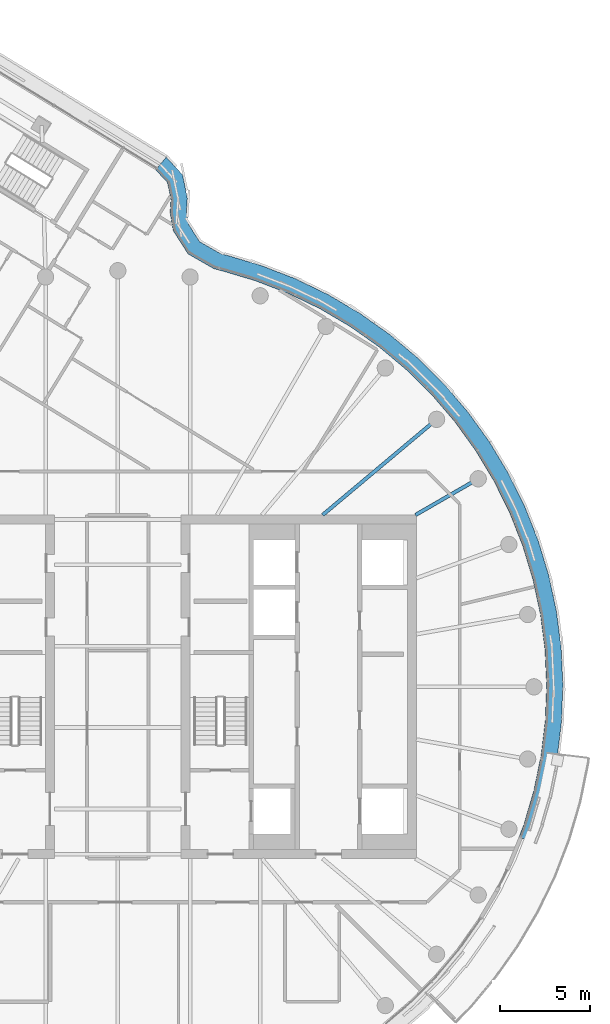
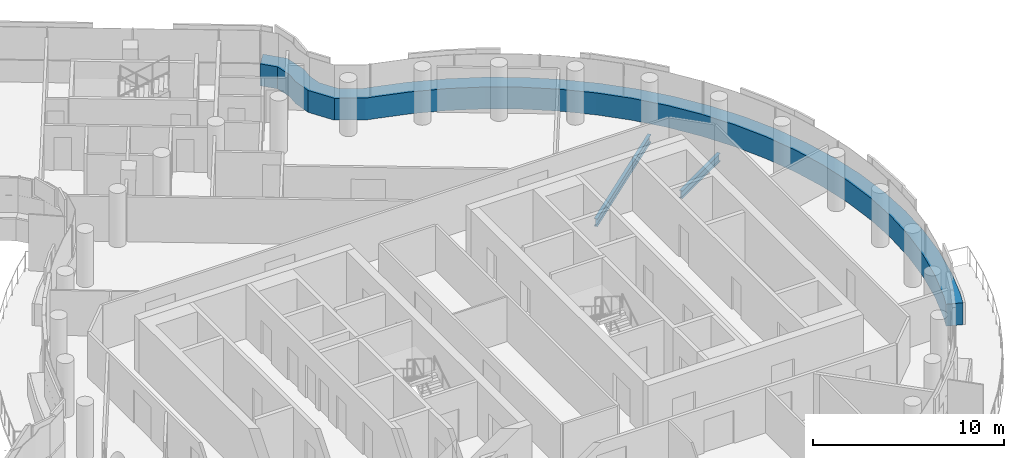
# One storey, part 12 of 27: 2 beams, 1 member, 1 element without a shape of its own.
"""IFC4 building model written with IfcOpenShell, lengths in metres."""

from ifc_helpers import new_model, si_unit, direction, frame, origin, origin_2d, place, context, subcontext, project, spatial, polyline, i_section, outline, extrude, material, layer, layer_set, material_profile, profile_set, type_object, element, aggregate, save


model = new_model("IFC4")

# Units and contexts
model_context = context("Model", 3, precision=1e-05, world=origin(), true_north=direction((0.0, 1.0)))
body_context = subcontext(model_context, "Body", "Model", "MODEL_VIEW")
ifc_project = project(units=[si_unit("LENGTHUNIT", "METRE"), si_unit("AREAUNIT", "SQUARE_METRE"), si_unit("VOLUMEUNIT", "CUBIC_METRE"), si_unit("PLANEANGLEUNIT", "RADIAN"), si_unit("MASSUNIT", "GRAM", prefix="KILO")], contexts=[model_context])

# Site, building, storey
site_placement = place(None, origin())
site = spatial("IfcSite", under=ifc_project, at=site_placement, CompositionType="ELEMENT")
building_placement = place(site_placement, origin())
building = spatial("IfcBuilding", under=site, at=building_placement, Name="Tamarind Cross Interchange Tower", CompositionType="ELEMENT")
storey_placement = place(building_placement, frame((0.0, 0.0, 245.10009765625)))
storey = spatial("IfcBuildingStorey", under=building, at=storey_placement, Name="L62", CompositionType="ELEMENT", Elevation=245.10009765625)

# Beams
ifc_material_1 = material(Name="Steel Q355B", Category="steel")
ifc_material_profile = material_profile(ifc_material_1, i_section(OverallWidth=0.198974609375, OverallDepth=0.49609375, WebThickness=0.009033203125, FlangeThickness=0.013916015625, FilletRadius=0.012939453125, at=origin_2d()), Name="HN 496x199x9x14")
ifc_profile_set = profile_set([ifc_material_profile], Name="Steel Q355B")
beam_type = type_object("IfcBeamType", Name="Composite beam HN 496x199x9x14 Q355B", PredefinedType="BEAM", material=ifc_profile_set)
beam_1_placement = place(storey_placement, frame((19.918701171875, 11.5, -0.38818359375), z_axis=(-0.866026010844, -0.49999894854, 0.0), x_axis=(0.49999894854, -0.866026010844, 0.0)))
element("IfcBeam", 1, at=beam_1_placement, inside=storey, type_object=beam_type, Name="Beam HH03", PredefinedType="BEAM", context=body_context, shape_type="SweptSolid", body=[
    extrude(i_section(OverallWidth=0.198974609375, OverallDepth=0.49609375, WebThickness=0.009033203125, FlangeThickness=0.013916015625, FilletRadius=0.012939453125, at=origin_2d()), origin(), (0.0, 0.0, 1.0), 4.0),
])
beam_2_placement = place(storey_placement, frame((17.619140625, 14.7841796875, -0.38818359375), z_axis=(-0.766040580814, -0.642792212574, 0.0), x_axis=(0.642792212574, -0.766040580814, 0.0)))
element("IfcBeam", 2, at=beam_2_placement, inside=storey, type_object=beam_type, Name="Beam HH04", PredefinedType="BEAM", context=body_context, shape_type="SweptSolid", body=[
    extrude(i_section(OverallWidth=0.198974609375, OverallDepth=0.49609375, WebThickness=0.009033203125, FlangeThickness=0.013916015625, FilletRadius=0.012939453125, at=origin_2d()), origin(), (0.0, 0.0, 1.0), 8.220703125),
])

# Curtain wall, member
ifc_material_2 = material(Name="Aluminium 6063-T6", Category="aluminium")
ifc_layer = layer(ifc_material_2, 0.139892578125)
ifc_layer_set = layer_set([ifc_layer], Name="Aluminium 6063-T6")
curtain_wall_type = type_object("IfcCurtainWallType", Name="Hotel curtain wall, 4.5 m bays", PredefinedType="NOTDEFINED", material=ifc_layer_set)
curtain_wall_placement = place(storey_placement, origin())
curtain_wall = element("IfcCurtainWall", 3, at=curtain_wall_placement, inside=storey, type_object=curtain_wall_type, Name="CWS-L62-06", PredefinedType="NOTDEFINED")
ifc_material_3 = material(Name="Aluminium and insulated spandrel panel", Category="aluminium")
member_type = type_object("IfcMemberType", Name="Floor-edge blade transom", PredefinedType="USERDEFINED", material=ifc_material_3)
member_placement = place(storey_placement, origin())
member = element("IfcMember", 4, at=member_placement, type_object=member_type, Name="CWT-L62-06-1", ObjectType="TRANSOM", PredefinedType="USERDEFINED", context=body_context, shape_type="SweptSolid", body=[
    extrude(outline(polyline([(22.171142578125, -8.307373046875), (22.444580078125, -7.597412109375), (22.995361328125, -5.718017578125), (23.38916015625, -3.799560546875), (23.623046875, -1.855224609375), (23.695556640625, 0.10205078125), (23.606201171875, 2.058349609375), (23.35546875, 4.000732421875), (22.9453125, 5.915771484375), (22.37841796875, 7.790283203125), (21.65869140625, 9.61181640625), (20.791015625, 11.367431640625), (19.78125, 13.045654296875), (18.636474609375, 14.634521484375), (17.3642578125, 16.12353515625), (15.973388671875, 17.50244140625), (14.4736328125, 18.76171875), (12.874755859375, 19.892822265625), (11.188232421875, 20.88818359375), (9.425048828125, 21.74072265625), (7.596923828125, 22.44482421875), (5.908203125, 22.94775390625), (5.2998046875, 23.115234375), (3.883056640625, 23.924072265625), (3.058837890625, 25.217529296875), (2.88525390625, 26.24072265625), (2.935302734375, 26.9404296875), (2.744140625, 27.87451171875), (2.095458984375, 28.573486328125), (2.6708984375, 29.2763671875), (3.5751953125, 28.302001953125), (3.841796875, 26.999755859375), (3.790771484375, 26.28466796875), (3.915771484375, 25.547607421875), (4.522705078125, 24.59521484375), (5.647705078125, 23.952880859375), (6.156005859375, 23.81298828125), (7.887451171875, 23.29736328125), (9.783203125, 22.567138671875), (11.613525390625, 21.68212890625), (13.3642578125, 20.64892578125), (15.023681640625, 19.474853515625), (16.580810546875, 18.167724609375), (18.0244140625, 16.736572265625), (19.344970703125, 15.19091796875), (20.533203125, 13.54150390625), (21.581298828125, 11.799560546875), (22.482177734375, 9.97705078125), (23.229248046875, 8.08642578125), (23.817626953125, 6.140625), (24.243408203125, 4.15283203125), (24.50341796875, 2.13671875), (24.59619140625, 0.10595703125), (24.52099609375, -1.925537109375), (24.2783203125, -3.944091796875), (23.86962890625, -5.935302734375), (23.2978515625, -7.88623046875), (23.01416015625, -8.623046875), (22.171142578125, -8.307373046875)])), origin(), (0.0, 0.0, 1.0), 1.39990234375),
])
aggregate(curtain_wall, [member])

save(model, "model.ifc")
